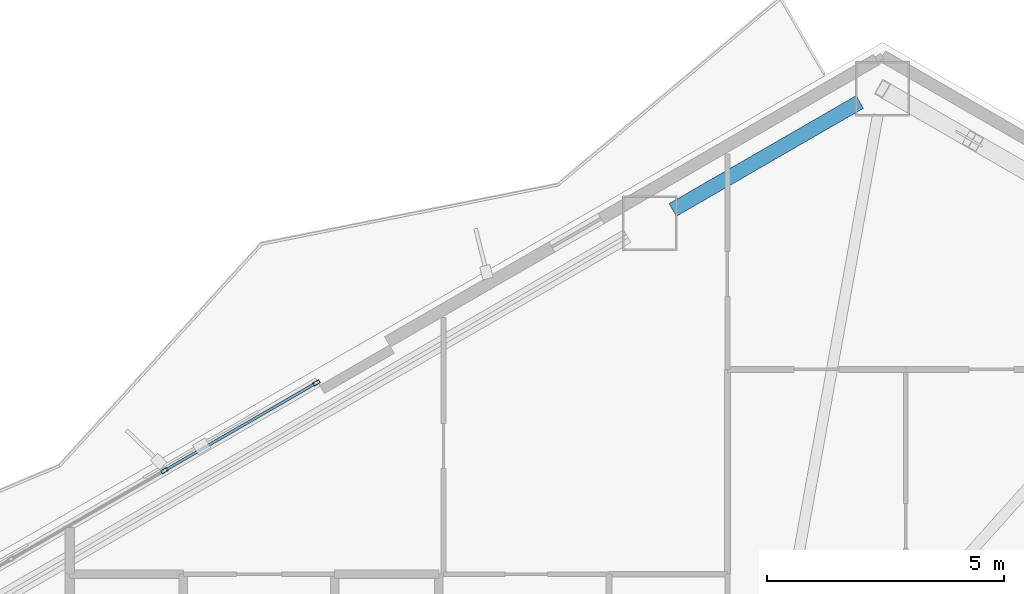
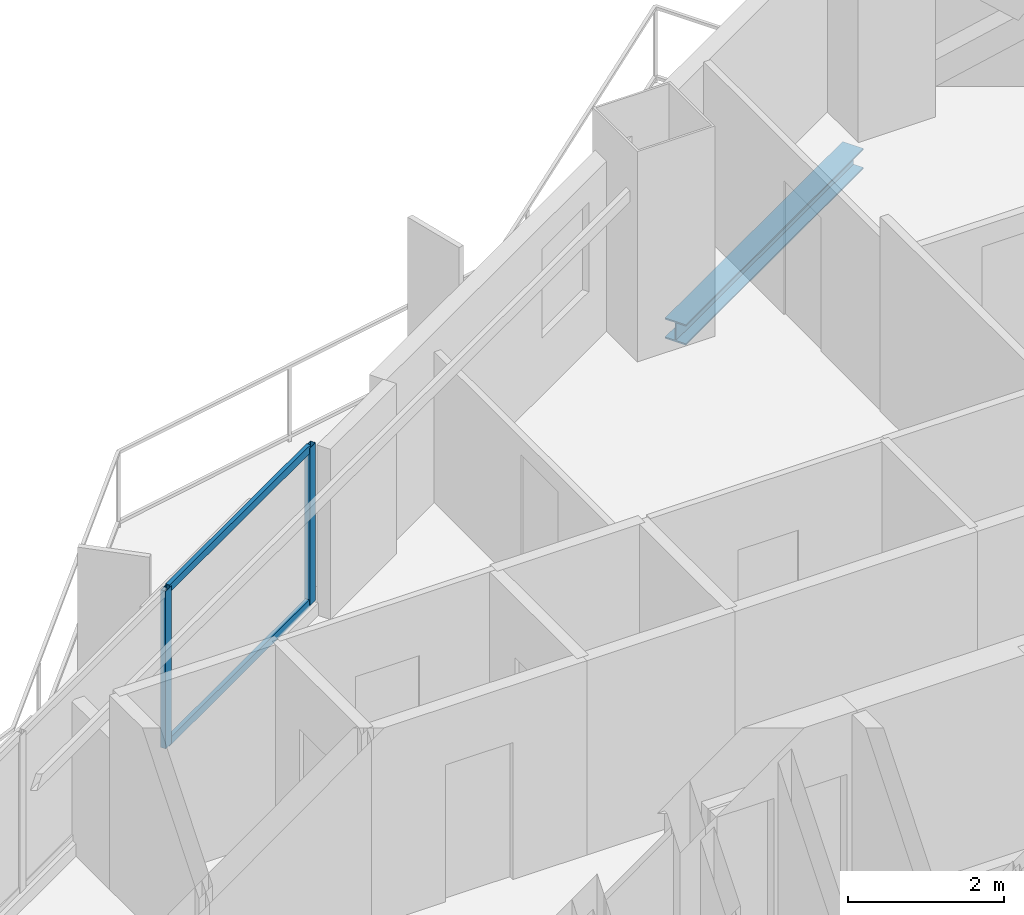
# One storey, part 13 of 22: 4 members, 1 beam, 1 element without a shape of its own.
"""IFC4 building model written with IfcOpenShell, lengths in metres."""

import ifcopenshell
import ifcopenshell.guid

model = None  # the IFC model being written
_history = None  # IfcOwnerHistory: only IFC2X3 demands one
_inside = {}  # id of a spatial element -> (the spatial element, [elements in it])
_under = {}  # id of a project, library or spatial element -> (it, [spatial elements below it])
_declared = {}  # id of a project -> (the project, [libraries it declares])
_typed = {}  # id of a type object -> (the type object, [elements of that type])
_made_of = {}  # id of a material, layer set ... -> (it, [elements and type objects made of it])


def new_model(schema):
    """Start an empty IFC model of exactly this schema.

    Asked for "IFC4X3", IfcOpenShell would pick the latest addendum, in which some entities
    have other attributes; the version numbers below select the first issue.
    IFC2X3 requires an IfcOwnerHistory on every rooted entity: one is made here for all.
    """
    global model, _history
    if schema == "IFC4X3":
        model = ifcopenshell.file(schema_version=(4, 3, 0, 0))
    else:
        model = ifcopenshell.file(schema=schema)
    _inside.clear()
    _under.clear()
    _declared.clear()
    _typed.clear()
    _made_of.clear()
    _history = None
    if model.schema == "IFC2X3":
        org = make("IfcOrganization", Name="unknown")
        user = make(
            "IfcPersonAndOrganization",
            ThePerson=make("IfcPerson", FamilyName="unknown"),
            TheOrganization=org,
        )
        app = make(
            "IfcApplication",
            ApplicationDeveloper=org,
            Version="unknown",
            ApplicationFullName="unknown",
            ApplicationIdentifier="unknown",
        )
        _history = make(
            "IfcOwnerHistory",
            OwningUser=user,
            OwningApplication=app,
            ChangeAction="ADDED",
            CreationDate=0,
        )
    return model


def make(cls, **values):
    """One entity of the class cls with the attributes given. An attribute that is None is left unset."""
    return model.create_entity(
        cls, **{name: value for name, value in values.items() if value is not None}
    )


def rooted(cls, **values):
    """An entity with a GlobalId (a new one), such as an element, a storey or a relation."""
    return make(cls, GlobalId=ifcopenshell.guid.new(), OwnerHistory=_history, **values)


def si_unit(unit_type, name, prefix=None):
    """IfcSIUnit, for example si_unit("LENGTHUNIT", "METRE", prefix="MILLI")."""
    return make("IfcSIUnit", UnitType=unit_type, Prefix=prefix, Name=name)


def assignment(units):
    """IfcUnitAssignment: the units of a project."""
    return None if units is None else make("IfcUnitAssignment", Units=units)


def point(xyz):
    """IfcCartesianPoint."""
    return None if xyz is None else make("IfcCartesianPoint", Coordinates=xyz)


def direction(xyz):
    """IfcDirection."""
    return None if xyz is None else make("IfcDirection", DirectionRatios=xyz)


def frame(location, z_axis=None, x_axis=None):
    """IfcAxis2Placement3D, a coordinate frame: its origin and axes. An axis left out is left unset."""
    return make(
        "IfcAxis2Placement3D",
        Location=point(location),
        Axis=direction(z_axis),
        RefDirection=direction(x_axis),
    )


def frame_2d(location, x_axis=None):
    """IfcAxis2Placement2D, a coordinate frame in the plane: its origin and x axis."""
    return make(
        "IfcAxis2Placement2D", Location=point(location), RefDirection=direction(x_axis)
    )


def origin():
    """The frame at (0, 0, 0) with its axes left unset."""
    return frame((0.0, 0.0, 0.0))


def origin_2d():
    """The frame at (0, 0) in the plane with its x axis left unset."""
    return frame_2d((0.0, 0.0))


def place(relative_to, where):
    """IfcLocalPlacement: puts the frame where relative to a parent placement (None: the world)."""
    return make(
        "IfcLocalPlacement", PlacementRelTo=relative_to, RelativePlacement=where
    )


def context(
    kind, dimensions, precision=None, world=None, true_north=None, identifier=None
):
    """IfcGeometricRepresentationContext, for example the 3D "Model" context."""
    return make(
        "IfcGeometricRepresentationContext",
        ContextIdentifier=identifier,
        ContextType=kind,
        CoordinateSpaceDimension=dimensions,
        Precision=precision,
        WorldCoordinateSystem=world,
        TrueNorth=true_north,
    )


def subcontext(parent, identifier, kind, view, scale=None):
    """IfcGeometricRepresentationSubContext, for example "Body" below "Model"."""
    return make(
        "IfcGeometricRepresentationSubContext",
        ContextIdentifier=identifier,
        ContextType=kind,
        ParentContext=parent,
        TargetScale=scale,
        TargetView=view,
    )


def project(units=None, contexts=None):
    """IfcProject with its units and contexts."""
    return rooted(
        "IfcProject",
        Name="project",
        RepresentationContexts=contexts,
        UnitsInContext=assignment(units),
    )


def spatial(cls, under=None, at=None, **own):
    """A site, building, storey or space (cls), placed at a placement, below another one or the project."""
    s = rooted(cls, ObjectPlacement=at, **own)
    if under is not None:
        _under.setdefault(under.id(), (under, []))[1].append(s)
    return s


def profile(cls, at=None, kind="AREA", **sizes):
    """A parametric profile (cls). Its sizes go by their IFC names, for example OverallWidth=200.0."""
    return make(cls, ProfileType=kind, Position=at, **sizes)


def hollow_rectangle(**sizes):
    """IfcRectangleHollowProfileDef."""
    return profile("IfcRectangleHollowProfileDef", **sizes)


def i_section(**sizes):
    """IfcIShapeProfileDef."""
    return profile("IfcIShapeProfileDef", **sizes)


def extrude(swept, where, along, depth):
    """IfcExtrudedAreaSolid: the profile swept, set in the frame where, extruded along a direction by depth."""
    return make(
        "IfcExtrudedAreaSolid",
        SweptArea=swept,
        Position=where,
        ExtrudedDirection=direction(along),
        Depth=depth,
    )


def shape(context_of_items, identifier, shape_type, items):
    """IfcShapeRepresentation: the items that make up one representation, for example the "Body"."""
    return make(
        "IfcShapeRepresentation",
        ContextOfItems=context_of_items,
        RepresentationIdentifier=identifier,
        RepresentationType=shape_type,
        Items=items,
    )


def material(Name=None, Category=None):
    """IfcMaterial."""
    return make("IfcMaterial", Name=Name, Category=Category)


def layer(
    of_material, thickness, ventilated=None, Name=None, Category=None, Priority=None
):
    """IfcMaterialLayer: one layer of a wall or slab, of a material (None: an air gap)."""
    return make(
        "IfcMaterialLayer",
        Material=of_material,
        LayerThickness=thickness,
        IsVentilated=ventilated,
        Name=Name,
        Category=Category,
        Priority=Priority,
    )


def layer_set(layers, Name=None):
    """IfcMaterialLayerSet."""
    return make("IfcMaterialLayerSet", MaterialLayers=layers, LayerSetName=Name)


def material_profile(
    of_material, cross_section, Name=None, Category=None, Priority=None
):
    """IfcMaterialProfile: a cross section and its material."""
    return make(
        "IfcMaterialProfile",
        Name=Name,
        Material=of_material,
        Profile=cross_section,
        Priority=Priority,
        Category=Category,
    )


def profile_set(profiles, Name=None, composite=None):
    """IfcMaterialProfileSet."""
    return make(
        "IfcMaterialProfileSet",
        Name=Name,
        MaterialProfiles=profiles,
        CompositeProfile=composite,
    )


def made_of(thing, what):
    """Note that an element or type object is made of a material, layer set ...; save() writes the relation."""
    if what is not None:
        _made_of.setdefault(what.id(), (what, []))[1].append(thing)
    return thing


def type_object(cls, material=None, **own):
    """A type object (cls), such as IfcWallType, which elements share."""
    return made_of(rooted(cls, **own), material)


def element(
    cls,
    number,
    at=None,
    inside=None,
    cuts=None,
    type_object=None,
    material=None,
    context=None,
    identifier="Body",
    shape_type=None,
    held_by="IfcProductDefinitionShape",
    body=None,
    shapes=None,
    **own,
):
    """One element of the class cls, such as IfcWall. Its Tag is "e" and its number.

    at: its placement. inside: the storey or other place that contains it. cuts: it is an
    opening in that element (IfcRelVoidsElement). A single representation is given by context,
    identifier, shape_type and body (its items); several are given by shapes. held_by: the class
    of the entity that holds the representations. save() writes the other relations.
    """
    e = rooted(cls, Tag="e%d" % number, ObjectPlacement=at, **own)
    if body is not None:
        shapes = [shape(context, identifier, shape_type, body)]
    if shapes is not None:
        e.Representation = make(held_by, Representations=shapes)
    if inside is not None:
        _inside.setdefault(inside.id(), (inside, []))[1].append(e)
    if cuts is not None:
        rooted(
            "IfcRelVoidsElement", RelatingBuildingElement=cuts, RelatedOpeningElement=e
        )
    if type_object is not None:
        _typed.setdefault(type_object.id(), (type_object, []))[1].append(e)
    return made_of(e, material)


def aggregate(whole, parts):
    """IfcRelAggregates: a whole, such as a stair, and the parts it consists of."""
    return rooted("IfcRelAggregates", RelatingObject=whole, RelatedObjects=parts)


def save(model, path):
    """Write the relations noted so far, then the file.

    IfcRelAggregates (storeys below a building ...), IfcRelContainedInSpatialStructure (elements
    in a storey), IfcRelDefinesByType, IfcRelAssociatesMaterial and IfcRelDeclares: one each for
    every whole, place, type object, material and project.
    """
    for whole, parts in _under.values():
        aggregate(whole, parts)
    for where, things in _inside.values():
        rooted(
            "IfcRelContainedInSpatialStructure",
            RelatedElements=things,
            RelatingStructure=where,
        )
    for kind, things in _typed.values():
        rooted("IfcRelDefinesByType", RelatedObjects=things, RelatingType=kind)
    for what, things in _made_of.values():
        rooted("IfcRelAssociatesMaterial", RelatedObjects=things, RelatingMaterial=what)
    for by, libraries in _declared.values():
        rooted("IfcRelDeclares", RelatingContext=by, RelatedDefinitions=libraries)
    model.write(path)


model = new_model("IFC4")

# Units and contexts
model_context = context("Model", 3, precision=1e-05, world=origin(), true_north=direction((0.0, 1.0)))
body_context = subcontext(model_context, "Body", "Model", "MODEL_VIEW")
ifc_project = project(units=[si_unit("LENGTHUNIT", "METRE"), si_unit("AREAUNIT", "SQUARE_METRE"), si_unit("VOLUMEUNIT", "CUBIC_METRE"), si_unit("PLANEANGLEUNIT", "RADIAN"), si_unit("MASSUNIT", "GRAM", prefix="KILO")], contexts=[model_context])

# Site, building, storey
site_placement = place(None, origin())
site = spatial("IfcSite", under=ifc_project, at=site_placement, CompositionType="ELEMENT")
building_placement = place(site_placement, origin())
building = spatial("IfcBuilding", under=site, at=building_placement, Name="Mersakhor Tower and Convention Hall", CompositionType="ELEMENT")
storey_placement = place(building_placement, frame((0.0, 0.0, 109.800048828125)))
storey = spatial("IfcBuildingStorey", under=building, at=storey_placement, Name="L30", CompositionType="ELEMENT", Elevation=109.800048828125)

# Beam
ifc_material_1 = material(Name="Steel S355", Category="steel")
ifc_material_profile_1 = material_profile(ifc_material_1, i_section(OverallWidth=0.30908203125, OverallDepth=0.320556640625, WebThickness=0.013916015625, FlangeThickness=0.021728515625, at=origin_2d()), Name="UC 305x305x137")
ifc_profile_set_1 = profile_set([ifc_material_profile_1], Name="Steel S355")
beam_type = type_object("IfcBeamType", Name="BM-SPD-UC305", PredefinedType="SPANDREL", material=ifc_profile_set_1)
beam_placement = place(storey_placement, frame((34.343505859375, 45.34814453125, -0.410400390625), z_axis=(0.866046694585, 0.499963121439, 0.0), x_axis=(-0.499963121439, 0.866046694585, 0.0)))
element("IfcBeam", 1, at=beam_placement, inside=storey, type_object=beam_type, Name="L30 Perimeter Spandrel Beam SPB-03", PredefinedType="SPANDREL", context=body_context, shape_type="SweptSolid", body=[
    extrude(i_section(OverallWidth=0.30908203125, OverallDepth=0.320556640625, WebThickness=0.013916015625, FlangeThickness=0.021728515625, at=origin_2d()), origin(), (0.0, 0.0, 1.0), 4.566162109375),
])

# Curtain wall, members
ifc_material_2 = material(Name="Dark solar low-E aluminium curtain wall", Category="aluminium")
ifc_layer = layer(ifc_material_2, 0.159912109375)
ifc_layer_set = layer_set([ifc_layer], Name="Dark solar low-E aluminium curtain wall")
curtain_wall_type = type_object("IfcCurtainWallType", Name="CW-SYS-01", PredefinedType="USERDEFINED", material=ifc_layer_set)
curtain_wall_placement = place(storey_placement, origin())
curtain_wall = element("IfcCurtainWall", 2, at=curtain_wall_placement, inside=storey, type_object=curtain_wall_type, Name="L30 Dark-Glass Curtain Wall F1-B2", ObjectType="CURTAIN WALL", PredefinedType="USERDEFINED")
ifc_material_3 = material(Name="Anodised aluminium EN AW-6063 T6", Category="aluminium")
ifc_material_profile_2 = material_profile(ifc_material_3, hollow_rectangle(XDim=0.074951171875, YDim=0.14990234375, WallThickness=0.00634765625, at=origin_2d()), Name="RHS 150x75x6.3")
ifc_profile_set_2 = profile_set([ifc_material_profile_2], Name="Anodised aluminium EN AW-6063 T6")
member_type_1 = type_object("IfcMemberType", Name="CWM-150x75", PredefinedType="MULLION", material=ifc_profile_set_2)
member_1_placement = place(storey_placement, frame((23.603515625, 39.840087890625, 0.199951171875), z_axis=(0.0, 0.0, 1.0), x_axis=(-0.499997904985, 0.866026613339, 0.0)))
member_1 = element("IfcMember", 3, at=member_1_placement, type_object=member_type_1, Name="CW-01 mullion 3", PredefinedType="MULLION", context=body_context, shape_type="SweptSolid", body=[
    extrude(hollow_rectangle(XDim=0.074951171875, YDim=0.14990234375, WallThickness=0.00634765625, at=origin_2d()), origin(), (0.0, 0.0, 1.0), 2.469970703125),
])
member_2_placement = place(storey_placement, frame((26.812744140625, 41.69287109375, 0.199951171875), z_axis=(0.0, 0.0, 1.0), x_axis=(-0.499997904985, 0.866026613339, 0.0)))
member_2 = element("IfcMember", 4, at=member_2_placement, type_object=member_type_1, Name="CW-01 mullion 4", PredefinedType="MULLION", context=body_context, shape_type="SweptSolid", body=[
    extrude(hollow_rectangle(XDim=0.074951171875, YDim=0.14990234375, WallThickness=0.00634765625, at=origin_2d()), origin(), (0.0, 0.0, 1.0), 2.469970703125),
])
ifc_material_4 = material(Name="Anodised aluminium EN AW-6063 T6", Category="aluminium")
ifc_material_profile_3 = material_profile(ifc_material_4, hollow_rectangle(XDim=0.06005859375, YDim=0.1201171875, WallThickness=0.0048828125, at=origin_2d()), Name="RHS 120x60x5")
ifc_profile_set_3 = profile_set([ifc_material_profile_3], Name="Anodised aluminium EN AW-6063 T6")
member_type_2 = type_object("IfcMemberType", Name="CWT-120x60", PredefinedType="USERDEFINED", material=ifc_profile_set_3)
member_3_placement = place(storey_placement, frame((23.635986328125, 39.85888671875, 0.22998046875), z_axis=(0.866016497289, 0.500015426185, 0.0), x_axis=(-0.500015426185, 0.866016497289, 0.0)))
member_3 = element("IfcMember", 5, at=member_3_placement, type_object=member_type_2, Name="CW-01 transom 3.1", ObjectType="TRANSOM", PredefinedType="USERDEFINED", context=body_context, shape_type="SweptSolid", body=[
    extrude(hollow_rectangle(XDim=0.06005859375, YDim=0.1201171875, WallThickness=0.0048828125, at=origin_2d()), origin(), (0.0, 0.0, 1.0), 3.630859375),
])
member_4_placement = place(storey_placement, frame((23.635986328125, 39.85888671875, 2.639892578125), z_axis=(0.866016497289, 0.500015426185, 0.0), x_axis=(-0.500015426185, 0.866016497289, 0.0)))
member_4 = element("IfcMember", 6, at=member_4_placement, type_object=member_type_2, Name="CW-01 transom 3.2", ObjectType="TRANSOM", PredefinedType="USERDEFINED", context=body_context, shape_type="SweptSolid", body=[
    extrude(hollow_rectangle(XDim=0.06005859375, YDim=0.1201171875, WallThickness=0.0048828125, at=origin_2d()), origin(), (0.0, 0.0, 1.0), 3.630859375),
])
aggregate(curtain_wall, [member_1, member_2, member_3, member_4])

save(model, "model.ifc")
